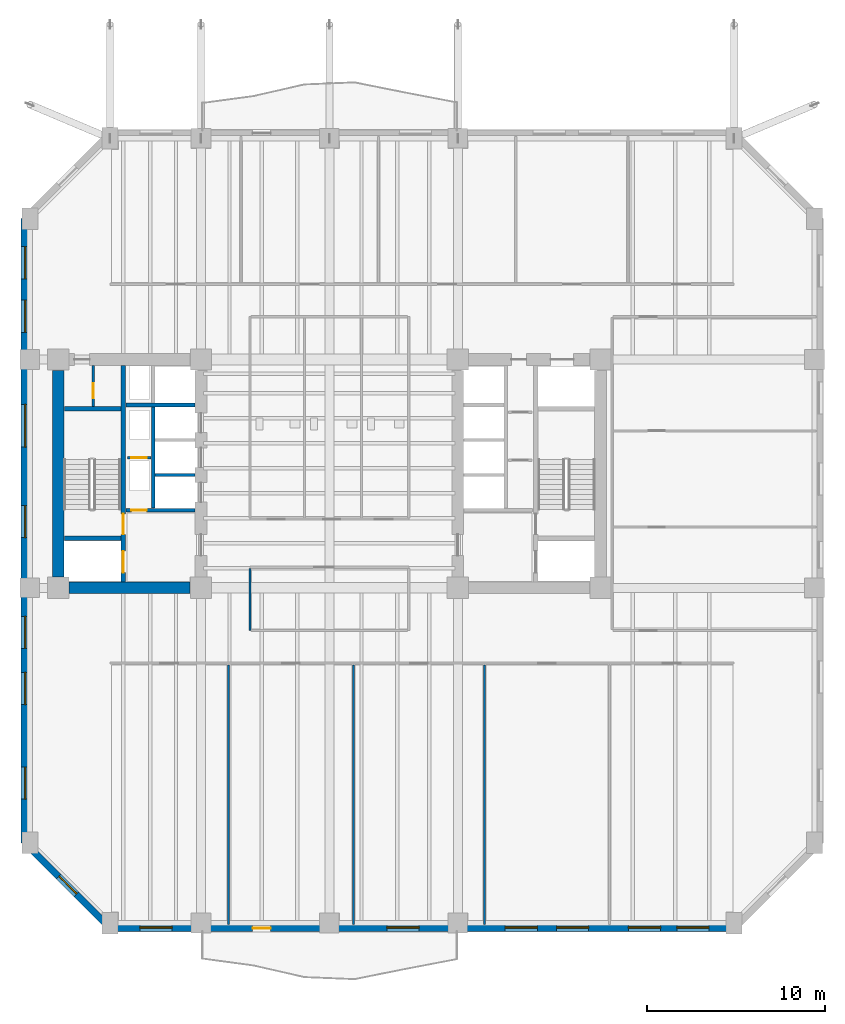
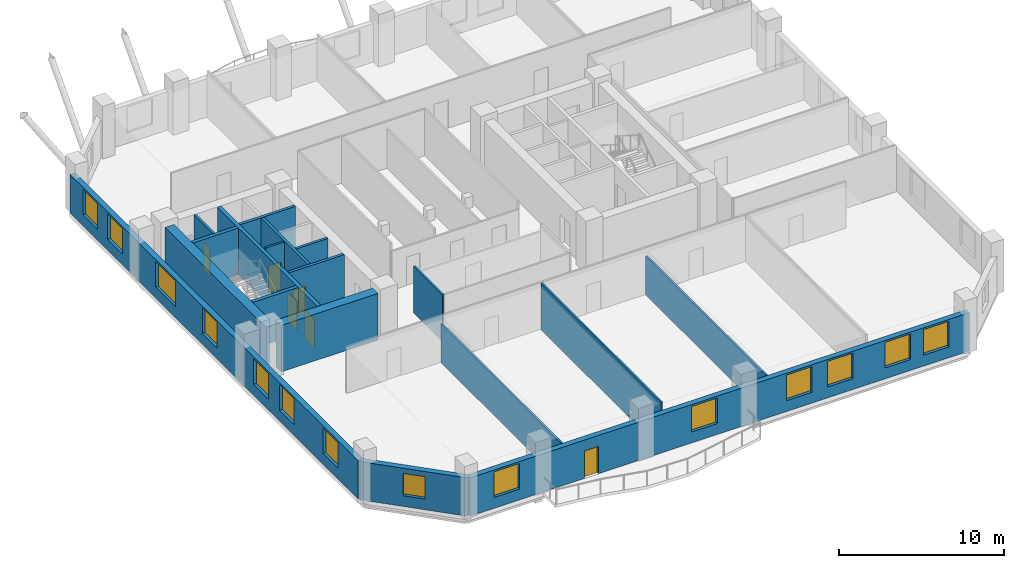
# One storey, part 5 of 12: 18 walls, 14 windows, 6 doors, 20 openings.
"""IFC4 building model written with IfcOpenShell, lengths in metres."""

from ifc_helpers import new_model, si_unit, direction, frame, frame_2d, origin, place, context, subcontext, project, spatial, rectangle, extrude, material, layer, layer_set, type_object, element, fill, save


model = new_model("IFC4")

# Units and contexts
model_context = context("Model", 3, precision=1e-05, world=origin(), true_north=direction((0.0, 1.0)))
body_context = subcontext(model_context, "Body", "Model", "MODEL_VIEW")
ifc_project = project(units=[si_unit("LENGTHUNIT", "METRE"), si_unit("AREAUNIT", "SQUARE_METRE"), si_unit("VOLUMEUNIT", "CUBIC_METRE"), si_unit("PLANEANGLEUNIT", "RADIAN"), si_unit("MASSUNIT", "GRAM", prefix="KILO")], contexts=[model_context])

# Site, building, storey
site_placement = place(None, origin())
site = spatial("IfcSite", under=ifc_project, at=site_placement, CompositionType="ELEMENT")
building_placement = place(site_placement, origin())
building = spatial("IfcBuilding", under=site, at=building_placement, Name="Kranthara Brick Stack", CompositionType="ELEMENT")
storey_placement = place(building_placement, frame((0.0, 0.0, 67.199951171875)))
storey = spatial("IfcBuildingStorey", under=building, at=storey_placement, Name="L16", CompositionType="ELEMENT", Elevation=67.199951171875)

# Wall, openings, door, windows
ifc_material_1 = material(Name="Kiln-fired clay brick masonry M15", Category="masonry")
ifc_layer_1 = layer(ifc_material_1, 0.3798828125)
ifc_layer_set_1 = layer_set([ifc_layer_1], Name="Kiln-fired clay brick masonry M15")
wall_type_1 = type_object("IfcWallType", Name="WL-BRK-PIER-380", PredefinedType="STANDARD", material=ifc_layer_set_1)
wall_1_placement = place(storey_placement, frame((50.699951171875, 1.7099609375, 0.0), z_axis=(0.0, 0.0, 1.0), x_axis=(-1.0, 0.0, 0.0)))
wall_1 = element("IfcWall", 1, at=wall_1_placement, inside=storey, type_object=wall_type_1, Name="L16 Exterior Brick Facade Wall SOUTH 1", PredefinedType="STANDARD", context=body_context, shape_type="SweptSolid", body=[
    extrude(rectangle(XDim=35.0, YDim=0.3798828125, at=frame_2d((17.5, 0.0))), origin(), (0.0, 0.0, 1.0), 2.8349609375),
])
opening_1_placement = place(wall_1_placement, frame((26.0, 0.0, 0.0)))
opening_1 = element("IfcOpeningElement", 2, at=opening_1_placement, cuts=wall_1, Name="Opening D03", PredefinedType="OPENING", context=body_context, shape_type="SweptSolid", body=[
    extrude(rectangle(XDim=1.0, YDim=2.02001953125, at=frame_2d((0.5, 1.010009765625))), frame((0.0, 0.199951171875, 0.0), z_axis=(0.0, -1.0, 0.0), x_axis=(1.0, 0.0, 0.0)), (0.0, 0.0, 1.0), 0.39990234375),
])
opening_2_placement = place(wall_1_placement, frame((1.4189453125, 0.0, 0.800048828125)))
opening_2 = element("IfcOpeningElement", 3, at=opening_2_placement, cuts=wall_1, Name="Opening WN01", PredefinedType="OPENING", context=body_context, shape_type="SweptSolid", body=[
    extrude(rectangle(XDim=1.800048828125, YDim=1.89990234375, at=frame_2d((0.89990234375, 0.949951171875))), frame((0.0, 0.199951171875, 0.0), z_axis=(0.0, -1.0, 0.0), x_axis=(1.0, 0.0, 0.0)), (0.0, 0.0, 1.0), 0.39990234375),
])
opening_3_placement = place(wall_1_placement, frame((4.131103515625, 0.0, 0.800048828125)))
opening_3 = element("IfcOpeningElement", 4, at=opening_3_placement, cuts=wall_1, Name="Opening WN01", PredefinedType="OPENING", context=body_context, shape_type="SweptSolid", body=[
    extrude(rectangle(XDim=1.800048828125, YDim=1.89990234375, at=frame_2d((0.89990234375, 0.949951171875))), frame((0.0, 0.199951171875, 0.0), z_axis=(0.0, -1.0, 0.0), x_axis=(1.0, 0.0, 0.0)), (0.0, 0.0, 1.0), 0.39990234375),
])
opening_4_placement = place(wall_1_placement, frame((8.159912109375, 0.0, 0.800048828125)))
opening_4 = element("IfcOpeningElement", 5, at=opening_4_placement, cuts=wall_1, Name="Opening WN01", PredefinedType="OPENING", context=body_context, shape_type="SweptSolid", body=[
    extrude(rectangle(XDim=1.800048828125, YDim=1.89990234375, at=frame_2d((0.89990234375, 0.949951171875))), frame((0.0, 0.199951171875, 0.0), z_axis=(0.0, -1.0, 0.0), x_axis=(1.0, 0.0, 0.0)), (0.0, 0.0, 1.0), 0.39990234375),
])
opening_5_placement = place(wall_1_placement, frame((11.0400390625, 0.0, 0.800048828125)))
opening_5 = element("IfcOpeningElement", 6, at=opening_5_placement, cuts=wall_1, Name="Opening WN01", PredefinedType="OPENING", context=body_context, shape_type="SweptSolid", body=[
    extrude(rectangle(XDim=1.800048828125, YDim=1.89990234375, at=frame_2d((0.89990234375, 0.949951171875))), frame((0.0, 0.199951171875, 0.0), z_axis=(0.0, -1.0, 0.0), x_axis=(1.0, 0.0, 0.0)), (0.0, 0.0, 1.0), 0.39990234375),
])
opening_6_placement = place(wall_1_placement, frame((17.675048828125, 0.0, 0.800048828125)))
opening_6 = element("IfcOpeningElement", 7, at=opening_6_placement, cuts=wall_1, Name="Opening WN01", PredefinedType="OPENING", context=body_context, shape_type="SweptSolid", body=[
    extrude(rectangle(XDim=1.800048828125, YDim=1.89990234375, at=frame_2d((0.89990234375, 0.949951171875))), frame((0.0, 0.199951171875, 0.0), z_axis=(0.0, -1.0, 0.0), x_axis=(1.0, 0.0, 0.0)), (0.0, 0.0, 1.0), 0.39990234375),
])
opening_7_placement = place(wall_1_placement, frame((31.52490234375, 0.0, 0.800048828125)))
opening_7 = element("IfcOpeningElement", 8, at=opening_7_placement, cuts=wall_1, Name="Opening WN01", PredefinedType="OPENING", context=body_context, shape_type="SweptSolid", body=[
    extrude(rectangle(XDim=1.800048828125, YDim=1.89990234375, at=frame_2d((0.89990234375, 0.949951171875))), frame((0.0, 0.199951171875, 0.0), z_axis=(0.0, -1.0, 0.0), x_axis=(1.0, 0.0, 0.0)), (0.0, 0.0, 1.0), 0.39990234375),
])
ifc_material_2 = material(Name="Bronze anodised aluminium and laminated glass", Category="aluminium")
door_type_1 = type_object("IfcDoorType", Name="DR-BALC-1000", OperationType="NOTDEFINED", PredefinedType="DOOR", material=ifc_material_2)
door_1_placement = place(opening_1_placement, origin())
door_1 = element("IfcDoor", 9, at=door_1_placement, inside=storey, type_object=door_type_1, Name="L16 South Balcony Terrace Door", OperationType="SINGLE_SWING_LEFT", OverallHeight=2.02001953125, OverallWidth=1.0, PredefinedType="DOOR", context=body_context, shape_type="SweptSolid", body=[
    extrude(rectangle(XDim=1.0, YDim=2.02001953125, at=frame_2d((0.5, 1.010009765625))), frame((0.0, 0.02490234375, 0.0), z_axis=(0.0, -1.0, 0.0), x_axis=(1.0, 0.0, 0.0)), (0.0, 0.0, 1.0), 0.050048828125),
])
fill(opening_1, door_1)
ifc_material_3 = material(Name="Double-glazed low-E solar control glass", Category="glass")
window_type_1 = type_object("IfcWindowType", Name="WN-OFF-1800x2000", PartitioningType="SINGLE_PANEL", PredefinedType="WINDOW", material=ifc_material_3)
window_1_placement = place(opening_2_placement, origin())
window_1 = element("IfcWindow", 10, at=window_1_placement, inside=storey, type_object=window_type_1, Name="L16 South Deep-Set Brick Window 01", OverallHeight=1.89990234375, OverallWidth=1.800048828125, PartitioningType="SINGLE_PANEL", PredefinedType="WINDOW", context=body_context, shape_type="SweptSolid", body=[
    extrude(rectangle(XDim=1.800048828125, YDim=1.89990234375, at=frame_2d((0.89990234375, 0.949951171875))), frame((0.0, -0.010009765625, 0.0), z_axis=(0.0, -1.0, 0.0), x_axis=(1.0, 0.0, 0.0)), (0.0, 0.0, 1.0), 0.06005859375),
])
fill(opening_2, window_1)
window_2_placement = place(opening_3_placement, origin())
window_2 = element("IfcWindow", 11, at=window_2_placement, inside=storey, type_object=window_type_1, Name="L16 South Deep-Set Brick Window 02", OverallHeight=1.89990234375, OverallWidth=1.800048828125, PartitioningType="SINGLE_PANEL", PredefinedType="WINDOW", context=body_context, shape_type="SweptSolid", body=[
    extrude(rectangle(XDim=1.800048828125, YDim=1.89990234375, at=frame_2d((0.89990234375, 0.949951171875))), frame((0.0, -0.010009765625, 0.0), z_axis=(0.0, -1.0, 0.0), x_axis=(1.0, 0.0, 0.0)), (0.0, 0.0, 1.0), 0.06005859375),
])
fill(opening_3, window_2)
window_3_placement = place(opening_4_placement, origin())
window_3 = element("IfcWindow", 12, at=window_3_placement, inside=storey, type_object=window_type_1, Name="L16 South Deep-Set Brick Window 03", OverallHeight=1.89990234375, OverallWidth=1.800048828125, PartitioningType="SINGLE_PANEL", PredefinedType="WINDOW", context=body_context, shape_type="SweptSolid", body=[
    extrude(rectangle(XDim=1.800048828125, YDim=1.89990234375, at=frame_2d((0.89990234375, 0.949951171875))), frame((0.0, -0.010009765625, 0.0), z_axis=(0.0, -1.0, 0.0), x_axis=(1.0, 0.0, 0.0)), (0.0, 0.0, 1.0), 0.06005859375),
])
fill(opening_4, window_3)
window_4_placement = place(opening_5_placement, origin())
window_4 = element("IfcWindow", 13, at=window_4_placement, inside=storey, type_object=window_type_1, Name="L16 South Deep-Set Brick Window 04", OverallHeight=1.89990234375, OverallWidth=1.800048828125, PartitioningType="SINGLE_PANEL", PredefinedType="WINDOW", context=body_context, shape_type="SweptSolid", body=[
    extrude(rectangle(XDim=1.800048828125, YDim=1.89990234375, at=frame_2d((0.89990234375, 0.949951171875))), frame((0.0, -0.010009765625, 0.0), z_axis=(0.0, -1.0, 0.0), x_axis=(1.0, 0.0, 0.0)), (0.0, 0.0, 1.0), 0.06005859375),
])
fill(opening_5, window_4)
window_5_placement = place(opening_6_placement, origin())
window_5 = element("IfcWindow", 14, at=window_5_placement, inside=storey, type_object=window_type_1, Name="L16 South Deep-Set Brick Window 05", OverallHeight=1.89990234375, OverallWidth=1.800048828125, PartitioningType="SINGLE_PANEL", PredefinedType="WINDOW", context=body_context, shape_type="SweptSolid", body=[
    extrude(rectangle(XDim=1.800048828125, YDim=1.89990234375, at=frame_2d((0.89990234375, 0.949951171875))), frame((0.0, -0.010009765625, 0.0), z_axis=(0.0, -1.0, 0.0), x_axis=(1.0, 0.0, 0.0)), (0.0, 0.0, 1.0), 0.06005859375),
])
fill(opening_6, window_5)
window_6_placement = place(opening_7_placement, origin())
window_6 = element("IfcWindow", 15, at=window_6_placement, inside=storey, type_object=window_type_1, Name="L16 South Deep-Set Brick Window 06", OverallHeight=1.89990234375, OverallWidth=1.800048828125, PartitioningType="SINGLE_PANEL", PredefinedType="WINDOW", context=body_context, shape_type="SweptSolid", body=[
    extrude(rectangle(XDim=1.800048828125, YDim=1.89990234375, at=frame_2d((0.89990234375, 0.949951171875))), frame((0.0, -0.010009765625, 0.0), z_axis=(0.0, -1.0, 0.0), x_axis=(1.0, 0.0, 0.0)), (0.0, 0.0, 1.0), 0.06005859375),
])
fill(opening_7, window_6)

# Wall, opening, window
wall_2_placement = place(storey_placement, frame((15.699951171875, 1.7099609375, 0.0), z_axis=(0.0, 0.0, 1.0), x_axis=(-0.707106781187, 0.707106781187, 0.0)))
wall_2 = element("IfcWall", 16, at=wall_2_placement, inside=storey, type_object=wall_type_1, Name="L16 Exterior Brick Facade Wall SW 1", PredefinedType="STANDARD", context=body_context, shape_type="SweptSolid", body=[
    extrude(rectangle(XDim=6.774169921875, YDim=0.3798828125, at=frame_2d((3.38720703125, 0.0))), origin(), (0.0, 0.0, 1.0), 2.8349609375),
])
opening_8_placement = place(wall_2_placement, frame((2.68701171875, 0.0, 0.800048828125)))
opening_8 = element("IfcOpeningElement", 17, at=opening_8_placement, cuts=wall_2, Name="Opening WN10", PredefinedType="OPENING", context=body_context, shape_type="SweptSolid", body=[
    extrude(rectangle(XDim=1.39990234375, YDim=1.64990234375, at=frame_2d((0.699951171875, 0.824951171875))), frame((0.0, 0.199951171875, 0.0), z_axis=(0.0, -1.0, 0.0), x_axis=(1.0, 0.0, 0.0)), (0.0, 0.0, 1.0), 0.39990234375),
])
ifc_material_4 = material(Name="Double-glazed low-E solar control glass", Category="glass")
window_type_2 = type_object("IfcWindowType", Name="WN-CHM-1400x1750", PartitioningType="SINGLE_PANEL", PredefinedType="WINDOW", material=ifc_material_4)
window_7_placement = place(opening_8_placement, origin())
window_7 = element("IfcWindow", 18, at=window_7_placement, inside=storey, type_object=window_type_2, Name="L16 SW Chamfer Corner Window", OverallHeight=1.64990234375, OverallWidth=1.39990234375, PartitioningType="SINGLE_PANEL", PredefinedType="WINDOW", context=body_context, shape_type="SweptSolid", body=[
    extrude(rectangle(XDim=1.39990234375, YDim=1.64990234375, at=frame_2d((0.699951171875, 0.824951171875))), frame((0.0, -0.010009765625, 0.0), z_axis=(0.0, -1.0, 0.0), x_axis=(1.0, 0.0, 0.0)), (0.0, 0.0, 1.0), 0.06005859375),
])
fill(opening_8, window_7)

# Wall, openings, windows
wall_3_placement = place(storey_placement, frame((10.909912109375, 6.5, 0.0), z_axis=(0.0, 0.0, 1.0), x_axis=(0.0, 1.0, 0.0)))
wall_3 = element("IfcWall", 19, at=wall_3_placement, inside=storey, type_object=wall_type_1, Name="L16 Exterior Brick Facade Wall WEST 1", PredefinedType="STANDARD", context=body_context, shape_type="SweptSolid", body=[
    extrude(rectangle(XDim=35.0, YDim=0.3798828125, at=frame_2d((17.5, 0.0))), origin(), (0.0, 0.0, 1.0), 2.8349609375),
])
opening_9_placement = place(wall_3_placement, frame((2.449951171875, 0.0, 0.800048828125)))
opening_9 = element("IfcOpeningElement", 20, at=opening_9_placement, cuts=wall_3, Name="Opening WN01", PredefinedType="OPENING", context=body_context, shape_type="SweptSolid", body=[
    extrude(rectangle(XDim=1.800048828125, YDim=1.89990234375, at=frame_2d((0.89990234375, 0.949951171875))), frame((0.0, 0.199951171875, 0.0), z_axis=(0.0, -1.0, 0.0), x_axis=(1.0, 0.0, 0.0)), (0.0, 0.0, 1.0), 0.39990234375),
])
opening_10_placement = place(wall_3_placement, frame((7.7529296875, 0.0, 0.800048828125)))
opening_10 = element("IfcOpeningElement", 21, at=opening_10_placement, cuts=wall_3, Name="Opening WN01", PredefinedType="OPENING", context=body_context, shape_type="SweptSolid", body=[
    extrude(rectangle(XDim=1.800048828125, YDim=1.89990234375, at=frame_2d((0.89990234375, 0.949951171875))), frame((0.0, 0.199951171875, 0.0), z_axis=(0.0, -1.0, 0.0), x_axis=(1.0, 0.0, 0.0)), (0.0, 0.0, 1.0), 0.39990234375),
])
opening_11_placement = place(wall_3_placement, frame((10.89697265625, 0.0, 0.800048828125)))
opening_11 = element("IfcOpeningElement", 22, at=opening_11_placement, cuts=wall_3, Name="Opening WN01", PredefinedType="OPENING", context=body_context, shape_type="SweptSolid", body=[
    extrude(rectangle(XDim=1.800048828125, YDim=1.89990234375, at=frame_2d((0.89990234375, 0.949951171875))), frame((0.0, 0.199951171875, 0.0), z_axis=(0.0, -1.0, 0.0), x_axis=(1.0, 0.0, 0.0)), (0.0, 0.0, 1.0), 0.39990234375),
])
opening_12_placement = place(wall_3_placement, frame((17.112060546875, 0.0, 0.800048828125)))
opening_12 = element("IfcOpeningElement", 23, at=opening_12_placement, cuts=wall_3, Name="Opening WN01", PredefinedType="OPENING", context=body_context, shape_type="SweptSolid", body=[
    extrude(rectangle(XDim=1.800048828125, YDim=1.89990234375, at=frame_2d((0.89990234375, 0.949951171875))), frame((0.0, 0.199951171875, 0.0), z_axis=(0.0, -1.0, 0.0), x_axis=(1.0, 0.0, 0.0)), (0.0, 0.0, 1.0), 0.39990234375),
])
opening_13_placement = place(wall_3_placement, frame((22.18798828125, 0.0, 0.800048828125)))
opening_13 = element("IfcOpeningElement", 24, at=opening_13_placement, cuts=wall_3, Name="Opening WN02", PredefinedType="OPENING", context=body_context, shape_type="SweptSolid", body=[
    extrude(rectangle(XDim=2.39990234375, YDim=1.89990234375, at=frame_2d((1.199951171875, 0.949951171875))), frame((0.0, 0.199951171875, 0.0), z_axis=(0.0, -1.0, 0.0), x_axis=(1.0, 0.0, 0.0)), (0.0, 0.0, 1.0), 0.39990234375),
])
opening_14_placement = place(wall_3_placement, frame((28.625, 0.0, 0.800048828125)))
opening_14 = element("IfcOpeningElement", 25, at=opening_14_placement, cuts=wall_3, Name="Opening WN01", PredefinedType="OPENING", context=body_context, shape_type="SweptSolid", body=[
    extrude(rectangle(XDim=1.800048828125, YDim=1.89990234375, at=frame_2d((0.89990234375, 0.949951171875))), frame((0.0, 0.199951171875, 0.0), z_axis=(0.0, -1.0, 0.0), x_axis=(1.0, 0.0, 0.0)), (0.0, 0.0, 1.0), 0.39990234375),
])
opening_15_placement = place(wall_3_placement, frame((31.625, 0.0, 0.800048828125)))
opening_15 = element("IfcOpeningElement", 26, at=opening_15_placement, cuts=wall_3, Name="Opening WN01", PredefinedType="OPENING", context=body_context, shape_type="SweptSolid", body=[
    extrude(rectangle(XDim=1.800048828125, YDim=1.89990234375, at=frame_2d((0.89990234375, 0.949951171875))), frame((0.0, 0.199951171875, 0.0), z_axis=(0.0, -1.0, 0.0), x_axis=(1.0, 0.0, 0.0)), (0.0, 0.0, 1.0), 0.39990234375),
])
window_8_placement = place(opening_9_placement, origin())
window_8 = element("IfcWindow", 27, at=window_8_placement, inside=storey, type_object=window_type_1, Name="L16 West Deep-Set Brick Window 01", OverallHeight=1.89990234375, OverallWidth=1.800048828125, PartitioningType="SINGLE_PANEL", PredefinedType="WINDOW", context=body_context, shape_type="SweptSolid", body=[
    extrude(rectangle(XDim=1.800048828125, YDim=1.89990234375, at=frame_2d((0.89990234375, 0.949951171875))), frame((0.0, -0.010009765625, 0.0), z_axis=(0.0, -1.0, 0.0), x_axis=(1.0, 0.0, 0.0)), (0.0, 0.0, 1.0), 0.06005859375),
])
fill(opening_9, window_8)
window_9_placement = place(opening_10_placement, origin())
window_9 = element("IfcWindow", 28, at=window_9_placement, inside=storey, type_object=window_type_1, Name="L16 West Deep-Set Brick Window 02", OverallHeight=1.89990234375, OverallWidth=1.800048828125, PartitioningType="SINGLE_PANEL", PredefinedType="WINDOW", context=body_context, shape_type="SweptSolid", body=[
    extrude(rectangle(XDim=1.800048828125, YDim=1.89990234375, at=frame_2d((0.89990234375, 0.949951171875))), frame((0.0, -0.010009765625, 0.0), z_axis=(0.0, -1.0, 0.0), x_axis=(1.0, 0.0, 0.0)), (0.0, 0.0, 1.0), 0.06005859375),
])
fill(opening_10, window_9)
window_10_placement = place(opening_11_placement, origin())
window_10 = element("IfcWindow", 29, at=window_10_placement, inside=storey, type_object=window_type_1, Name="L16 West Deep-Set Brick Window 03", OverallHeight=1.89990234375, OverallWidth=1.800048828125, PartitioningType="SINGLE_PANEL", PredefinedType="WINDOW", context=body_context, shape_type="SweptSolid", body=[
    extrude(rectangle(XDim=1.800048828125, YDim=1.89990234375, at=frame_2d((0.89990234375, 0.949951171875))), frame((0.0, -0.010009765625, 0.0), z_axis=(0.0, -1.0, 0.0), x_axis=(1.0, 0.0, 0.0)), (0.0, 0.0, 1.0), 0.06005859375),
])
fill(opening_11, window_10)
window_11_placement = place(opening_12_placement, origin())
window_11 = element("IfcWindow", 30, at=window_11_placement, inside=storey, type_object=window_type_1, Name="L16 West Deep-Set Brick Window 04", OverallHeight=1.89990234375, OverallWidth=1.800048828125, PartitioningType="SINGLE_PANEL", PredefinedType="WINDOW", context=body_context, shape_type="SweptSolid", body=[
    extrude(rectangle(XDim=1.800048828125, YDim=1.89990234375, at=frame_2d((0.89990234375, 0.949951171875))), frame((0.0, -0.010009765625, 0.0), z_axis=(0.0, -1.0, 0.0), x_axis=(1.0, 0.0, 0.0)), (0.0, 0.0, 1.0), 0.06005859375),
])
fill(opening_12, window_11)
window_12_placement = place(opening_14_placement, origin())
window_12 = element("IfcWindow", 31, at=window_12_placement, inside=storey, type_object=window_type_1, Name="L16 West Deep-Set Brick Window 06", OverallHeight=1.89990234375, OverallWidth=1.800048828125, PartitioningType="SINGLE_PANEL", PredefinedType="WINDOW", context=body_context, shape_type="SweptSolid", body=[
    extrude(rectangle(XDim=1.800048828125, YDim=1.89990234375, at=frame_2d((0.89990234375, 0.949951171875))), frame((0.0, -0.010009765625, 0.0), z_axis=(0.0, -1.0, 0.0), x_axis=(1.0, 0.0, 0.0)), (0.0, 0.0, 1.0), 0.06005859375),
])
fill(opening_14, window_12)
window_13_placement = place(opening_15_placement, origin())
window_13 = element("IfcWindow", 32, at=window_13_placement, inside=storey, type_object=window_type_1, Name="L16 West Deep-Set Brick Window 07", OverallHeight=1.89990234375, OverallWidth=1.800048828125, PartitioningType="SINGLE_PANEL", PredefinedType="WINDOW", context=body_context, shape_type="SweptSolid", body=[
    extrude(rectangle(XDim=1.800048828125, YDim=1.89990234375, at=frame_2d((0.89990234375, 0.949951171875))), frame((0.0, -0.010009765625, 0.0), z_axis=(0.0, -1.0, 0.0), x_axis=(1.0, 0.0, 0.0)), (0.0, 0.0, 1.0), 0.06005859375),
])
fill(opening_15, window_13)
ifc_material_5 = material(Name="Double-glazed low-E solar control glass", Category="glass")
window_type_3 = type_object("IfcWindowType", Name="WN-OFF-2400x2000", PartitioningType="DOUBLE_PANEL_VERTICAL", PredefinedType="WINDOW", material=ifc_material_5)
window_14_placement = place(opening_13_placement, origin())
window_14 = element("IfcWindow", 33, at=window_14_placement, inside=storey, type_object=window_type_3, Name="L16 West Deep-Set Brick Window 05", OverallHeight=1.89990234375, OverallWidth=2.39990234375, PartitioningType="SINGLE_PANEL", PredefinedType="WINDOW", context=body_context, shape_type="SweptSolid", body=[
    extrude(rectangle(XDim=2.39990234375, YDim=1.89990234375, at=frame_2d((1.199951171875, 0.949951171875))), frame((0.0, -0.010009765625, 0.0), z_axis=(0.0, -1.0, 0.0), x_axis=(1.0, 0.0, 0.0)), (0.0, 0.0, 1.0), 0.06005859375),
])
fill(opening_13, window_14)

# Wall, openings, doors
ifc_material_6 = material(Name="Concrete C50/60", Category="concrete")
ifc_layer_2 = layer(ifc_material_6, 0.25)
ifc_layer_set_2 = layer_set([ifc_layer_2], Name="Concrete C50/60")
wall_type_2 = type_object("IfcWallType", Name="WL-CORE-250", PredefinedType="SHEAR", material=ifc_layer_set_2)
wall_4_placement = place(storey_placement, frame((16.43505859375, 21.135009765625, 0.0), z_axis=(0.0, 0.0, 1.0), x_axis=(0.0, 1.0, 0.0)))
wall_4 = element("IfcWall", 34, at=wall_4_placement, inside=storey, type_object=wall_type_2, Name="L16 West Core Stair Bearing Spine Wall", PredefinedType="SHEAR", context=body_context, shape_type="SweptSolid", body=[
    extrude(rectangle(XDim=12.1298828125, YDim=0.25, at=frame_2d((6.06494140625, 0.0))), origin(), (0.0, 0.0, 1.0), 3.449951171875),
])
opening_16_placement = place(wall_4_placement, frame((0.514892578125, 0.0, 0.0)))
opening_16 = element("IfcOpeningElement", 35, at=opening_16_placement, cuts=wall_4, Name="Opening LD01", PredefinedType="OPENING", context=body_context, shape_type="SweptSolid", body=[
    extrude(rectangle(XDim=1.199951171875, YDim=2.14990234375, at=frame_2d((0.60009765625, 1.074951171875))), frame((0.0, 0.135009765625, 0.0), z_axis=(0.0, -1.0, 0.0), x_axis=(1.0, 0.0, 0.0)), (0.0, 0.0, 1.0), 0.27001953125),
])
opening_17_placement = place(wall_4_placement, frame((2.6650390625, 0.0, 0.0)))
opening_17 = element("IfcOpeningElement", 36, at=opening_17_placement, cuts=wall_4, Name="Opening D05", PredefinedType="OPENING", context=body_context, shape_type="SweptSolid", body=[
    extrude(rectangle(XDim=1.14990234375, YDim=2.14990234375, at=frame_2d((0.574951171875, 1.074951171875))), frame((0.0, 0.135009765625, 0.0), z_axis=(0.0, -1.0, 0.0), x_axis=(1.0, 0.0, 0.0)), (0.0, 0.0, 1.0), 0.27001953125),
])
ifc_material_7 = material(Name="Stainless steel sliding landing door", Category="steel")
door_type_2 = type_object("IfcDoorType", Name="DR-LD-FF1200", OperationType="DOUBLE_DOOR_SLIDING", PredefinedType="DOOR", material=ifc_material_7)
door_2_placement = place(opening_16_placement, origin())
door_2 = element("IfcDoor", 37, at=door_2_placement, inside=storey, type_object=door_type_2, Name="L16 Firefighting Lift FF-01 Landing Door", OperationType="DOUBLE_DOOR_SLIDING", OverallHeight=2.14990234375, OverallWidth=1.199951171875, PredefinedType="DOOR", context=body_context, shape_type="SweptSolid", body=[
    extrude(rectangle(XDim=1.199951171875, YDim=2.14990234375, at=frame_2d((0.60009765625, 1.074951171875))), frame((0.0, 0.02490234375, 0.0), z_axis=(0.0, -1.0, 0.0), x_axis=(1.0, 0.0, 0.0)), (0.0, 0.0, 1.0), 0.050048828125),
])
fill(opening_16, door_2)
ifc_material_8 = material(Name="Solid-core hardwood timber leaf in steel frame", Category="steel")
door_type_3 = type_object("IfcDoorType", Name="DR-ST-1150", OperationType="NOTDEFINED", PredefinedType="DOOR", material=ifc_material_8)
door_3_placement = place(opening_17_placement, origin())
door_3 = element("IfcDoor", 38, at=door_3_placement, inside=storey, type_object=door_type_3, Name="L16 Exit Stair ST01 Door", OperationType="SINGLE_SWING_RIGHT", OverallHeight=2.14990234375, OverallWidth=1.14990234375, PredefinedType="DOOR", context=body_context, shape_type="SweptSolid", body=[
    extrude(rectangle(XDim=1.14990234375, YDim=2.14990234375, at=frame_2d((0.574951171875, 1.074951171875))), frame((0.0, 0.02490234375, 0.0), z_axis=(0.0, -1.0, 0.0), x_axis=(1.0, 0.0, 0.0)), (0.0, 0.0, 1.0), 0.050048828125),
])
fill(opening_17, door_3)

# Walls
for number, where, z_axis, x_axis, name in (
    (39, (13.135009765625, 23.570068359375, 0.0), (0.0, 0.0, 1.0), (1.0, 0.0, 0.0), "L16 West Stairwell Bearing Wall WFF"),
    (40, (13.135009765625, 30.830078125, 0.0), (0.0, 0.0, 1.0), (1.0, 0.0, 0.0), "L16 West Stairwell Bearing Wall WST"),
):
    element("IfcWall", number, at=place(storey_placement, frame(where, z_axis=z_axis, x_axis=x_axis)), inside=storey, type_object=wall_type_2, Name=name, PredefinedType="SHEAR", context=body_context, shape_type="SweptSolid", body=[
        extrude(rectangle(XDim=3.175048828125, YDim=0.25, at=frame_2d((1.58740234375, 0.0))), origin(), (0.0, 0.0, 1.0), 3.449951171875),
    ])
ifc_material_9 = material(Name="Concrete C60/75", Category="concrete")
ifc_layer_3 = layer(ifc_material_9, 0.64990234375)
ifc_layer_set_3 = layer_set([ifc_layer_3], Name="Concrete C60/75")
wall_type_3 = type_object("IfcWallType", Name="WL-CORE-650", PredefinedType="SHEAR", material=ifc_layer_set_3)
wall_5_placement = place(storey_placement, frame((12.800048828125, 21.405029296875, 0.0), z_axis=(0.0, 0.0, 1.0), x_axis=(0.0, 1.0, 0.0)))
element("IfcWall", 41, at=wall_5_placement, inside=storey, type_object=wall_type_3, Name="L16 West Core Shear Wall West", PredefinedType="SHEAR", context=body_context, shape_type="SweptSolid", body=[
    extrude(rectangle(XDim=11.590087890625, YDim=0.64990234375, at=frame_2d((5.794921875, 0.0))), origin(), (0.0, 0.0, 1.0), 3.449951171875),
])
wall_6_placement = place(storey_placement, frame((13.405029296875, 20.800048828125, 0.0), z_axis=(0.0, 0.0, 1.0), x_axis=(1.0, 0.0, 0.0)))
element("IfcWall", 42, at=wall_6_placement, inside=storey, type_object=wall_type_3, Name="L16 West Core Shear Wall South", PredefinedType="SHEAR", context=body_context, shape_type="SweptSolid", body=[
    extrude(rectangle(XDim=6.7900390625, YDim=0.64990234375, at=frame_2d((3.39501953125, 0.0))), origin(), (0.0, 0.0, 1.0), 3.449951171875),
])
ifc_material_10 = material(Name="Acoustic gypsum plasterboard partition", Category="other")
ifc_layer_4 = layer(ifc_material_10, 0.1201171875)
ifc_layer_set_4 = layer_set([ifc_layer_4], Name="Acoustic gypsum plasterboard partition")
wall_type_4 = type_object("IfcWallType", Name="WL-PART-120", PredefinedType="PARTITIONING", material=ifc_layer_set_4)
wall_7_placement = place(storey_placement, frame((23.550048828125, 18.39990234375, 0.0), z_axis=(0.0, 0.0, 1.0), x_axis=(0.0, 1.0, 0.0)))
element("IfcWall", 43, at=wall_7_placement, inside=storey, type_object=wall_type_4, Name="L16 Interior Partition 012", PredefinedType="PARTITIONING", context=body_context, shape_type="SweptSolid", body=[
    extrude(rectangle(XDim=3.485107421875, YDim=0.1201171875, at=frame_2d((1.74267578125, 0.0))), origin(), (0.0, 0.0, 1.0), 3.449951171875),
])
wall_8_placement = place(storey_placement, frame((22.35009765625, 1.905029296875, 0.0), z_axis=(0.0, 0.0, 1.0), x_axis=(0.0, 1.0, 0.0)))
element("IfcWall", 44, at=wall_8_placement, inside=storey, type_object=wall_type_4, Name="L16 Interior Partition 016", PredefinedType="PARTITIONING", context=body_context, shape_type="SweptSolid", body=[
    extrude(rectangle(XDim=14.574951171875, YDim=0.1201171875, at=frame_2d((7.28759765625, 0.0))), origin(), (0.0, 0.0, 1.0), 2.885009765625),
])
wall_9_placement = place(storey_placement, frame((29.35009765625, 1.905029296875, 0.0), z_axis=(0.0, 0.0, 1.0), x_axis=(0.0, 1.0, 0.0)))
element("IfcWall", 45, at=wall_9_placement, inside=storey, type_object=wall_type_4, Name="L16 Interior Partition 017", PredefinedType="PARTITIONING", context=body_context, shape_type="SweptSolid", body=[
    extrude(rectangle(XDim=14.574951171875, YDim=0.1201171875, at=frame_2d((7.28759765625, 0.0))), origin(), (0.0, 0.0, 1.0), 3.449951171875),
])
wall_10_placement = place(storey_placement, frame((36.699951171875, 1.905029296875, 0.0), z_axis=(0.0, 0.0, 1.0), x_axis=(0.0, 1.0, 0.0)))
element("IfcWall", 46, at=wall_10_placement, inside=storey, type_object=wall_type_4, Name="L16 Interior Partition 018", PredefinedType="PARTITIONING", context=body_context, shape_type="SweptSolid", body=[
    extrude(rectangle(XDim=14.574951171875, YDim=0.1201171875, at=frame_2d((7.28759765625, 0.0))), origin(), (0.0, 0.0, 1.0), 2.885009765625),
])

# Wall, opening, door
ifc_material_11 = material(Name="Fire-rated gypsum board partition", Category="other")
ifc_layer_5 = layer(ifc_material_11, 0.14990234375)
ifc_layer_set_5 = layer_set([ifc_layer_5], Name="Fire-rated gypsum board partition")
wall_type_5 = type_object("IfcWallType", Name="WL-PART-150", PredefinedType="PARTITIONING", material=ifc_layer_set_5)
wall_11_placement = place(storey_placement, frame((14.75, 30.9599609375, 0.0), z_axis=(0.0, 0.0, 1.0), x_axis=(0.0, 1.0, 0.0)))
wall_11 = element("IfcWall", 47, at=wall_11_placement, inside=storey, type_object=wall_type_5, Name="L16 Interior Partition 001", PredefinedType="PARTITIONING", context=body_context, shape_type="SweptSolid", body=[
    extrude(rectangle(XDim=2.31005859375, YDim=0.14990234375, at=frame_2d((1.155029296875, 0.0))), origin(), (0.0, 0.0, 1.0), 3.449951171875),
])
opening_18_placement = place(wall_11_placement, frame((0.469970703125, 0.0, 0.0)))
opening_18 = element("IfcOpeningElement", 48, at=opening_18_placement, cuts=wall_11, Name="Opening D10", PredefinedType="OPENING", context=body_context, shape_type="SweptSolid", body=[
    extrude(rectangle(XDim=0.85009765625, YDim=2.02001953125, at=frame_2d((0.425048828125, 1.010009765625))), frame((0.0, 0.0849609375, 0.0), z_axis=(0.0, -1.0, 0.0), x_axis=(1.0, 0.0, 0.0)), (0.0, 0.0, 1.0), 0.169921875),
])
ifc_material_12 = material(Name="Solid-core hardwood timber leaf in steel frame", Category="steel")
door_type_4 = type_object("IfcDoorType", Name="DR-RSR-850", OperationType="NOTDEFINED", PredefinedType="DOOR", material=ifc_material_12)
door_4_placement = place(opening_18_placement, origin())
door_4 = element("IfcDoor", 49, at=door_4_placement, inside=storey, type_object=door_type_4, Name="L16 Service Interconnect 01", OperationType="SINGLE_SWING_LEFT", OverallHeight=2.02001953125, OverallWidth=0.85009765625, PredefinedType="DOOR", context=body_context, shape_type="SweptSolid", body=[
    extrude(rectangle(XDim=0.85009765625, YDim=2.02001953125, at=frame_2d((0.425048828125, 1.010009765625))), frame((0.0, 0.02490234375, 0.0), z_axis=(0.0, -1.0, 0.0), x_axis=(1.0, 0.0, 0.0)), (0.0, 0.0, 1.0), 0.050048828125),
])
fill(opening_18, door_4)

wall_12_placement = place(storey_placement, frame((16.679931640625, 28.10009765625, 0.0), z_axis=(0.0, 0.0, 1.0), x_axis=(1.0, 0.0, 0.0)))
wall_12 = element("IfcWall", 50, at=wall_12_placement, inside=storey, type_object=wall_type_5, Name="L16 Interior Partition 004", PredefinedType="PARTITIONING", context=body_context, shape_type="SweptSolid", body=[
    extrude(rectangle(XDim=1.320068359375, YDim=0.14990234375, at=frame_2d((0.66015625, 0.0))), origin(), (0.0, 0.0, 1.0), 3.449951171875),
])
opening_19_placement = place(wall_12_placement, frame((0.219970703125, 0.0, 0.0)))
opening_19 = element("IfcOpeningElement", 51, at=opening_19_placement, cuts=wall_12, Name="Opening D10", PredefinedType="OPENING", context=body_context, shape_type="SweptSolid", body=[
    extrude(rectangle(XDim=0.85009765625, YDim=2.02001953125, at=frame_2d((0.425048828125, 1.010009765625))), frame((0.0, 0.0849609375, 0.0), z_axis=(0.0, -1.0, 0.0), x_axis=(1.0, 0.0, 0.0)), (0.0, 0.0, 1.0), 0.169921875),
])
door_5_placement = place(opening_19_placement, origin())
door_5 = element("IfcDoor", 52, at=door_5_placement, inside=storey, type_object=door_type_4, Name="L16 Riser Split Door 04", OperationType="SINGLE_SWING_RIGHT", OverallHeight=2.02001953125, OverallWidth=0.85009765625, PredefinedType="DOOR", context=body_context, shape_type="SweptSolid", body=[
    extrude(rectangle(XDim=0.85009765625, YDim=2.02001953125, at=frame_2d((0.425048828125, 1.010009765625))), frame((0.0, 0.02490234375, 0.0), z_axis=(0.0, -1.0, 0.0), x_axis=(1.0, 0.0, 0.0)), (0.0, 0.0, 1.0), 0.050048828125),
])
fill(opening_19, door_5)

# Walls
ifc_material_13 = material(Name="Gypsum plasterboard on acoustic twin stud", Category="other")
ifc_layer_6 = layer(ifc_material_13, 0.179931640625)
ifc_layer_set_6 = layer_set([ifc_layer_6], Name="Gypsum plasterboard on acoustic twin stud")
wall_type_6 = type_object("IfcWallType", Name="WL-PART-180", PredefinedType="PARTITIONING", material=ifc_layer_set_6)
wall_13_placement = place(storey_placement, frame((18.1201171875, 25.27001953125, 0.0), z_axis=(0.0, 0.0, 1.0), x_axis=(0.0, 1.0, 0.0)))
element("IfcWall", 53, at=wall_13_placement, inside=storey, type_object=wall_type_6, Name="L16 West Hoistway Wall WBK", PredefinedType="PARTITIONING", context=body_context, shape_type="SweptSolid", body=[
    extrude(rectangle(XDim=5.659912109375, YDim=0.179931640625, at=frame_2d((2.830078125, 0.0))), origin(), (0.0, 0.0, 1.0), 3.449951171875),
])
wall_14_placement = place(storey_placement, frame((18.219970703125, 27.1201171875, 0.0), z_axis=(0.0, 0.0, 1.0), x_axis=(1.0, 0.0, 0.0)))
element("IfcWall", 54, at=wall_14_placement, inside=storey, type_object=wall_type_6, Name="L16 West Hoistway Wall WH1", PredefinedType="PARTITIONING", context=body_context, shape_type="SweptSolid", body=[
    extrude(rectangle(XDim=2.2451171875, YDim=0.179931640625, at=frame_2d((1.12255859375, 0.0))), origin(), (0.0, 0.0, 1.0), 3.449951171875),
])

# Wall, opening, door
ifc_material_14 = material(Name="Concrete C40/50", Category="concrete")
ifc_layer_7 = layer(ifc_material_14, 0.199951171875)
ifc_layer_set_7 = layer_set([ifc_layer_7], Name="Concrete C40/50")
wall_type_7 = type_object("IfcWallType", Name="WL-PART-200", PredefinedType="SOLIDWALL", material=ifc_layer_set_7)
wall_15_placement = place(storey_placement, frame((16.60009765625, 25.14990234375, 0.0), z_axis=(0.0, 0.0, 1.0), x_axis=(1.0, 0.0, 0.0)))
wall_15 = element("IfcWall", 55, at=wall_15_placement, inside=storey, type_object=wall_type_7, Name="L16 West Core Cross Wall WFL", PredefinedType="SOLIDWALL", context=body_context, shape_type="SweptSolid", body=[
    extrude(rectangle(XDim=3.864990234375, YDim=0.199951171875, at=frame_2d((1.9326171875, 0.0))), origin(), (0.0, 0.0, 1.0), 3.449951171875),
])
opening_20_placement = place(wall_15_placement, frame((0.300048828125, 0.0, 0.0)))
opening_20 = element("IfcOpeningElement", 56, at=opening_20_placement, cuts=wall_15, Name="Opening D10", PredefinedType="OPENING", context=body_context, shape_type="SweptSolid", body=[
    extrude(rectangle(XDim=0.85009765625, YDim=2.02001953125, at=frame_2d((0.425048828125, 1.010009765625))), frame((0.0, 0.10986328125, 0.0), z_axis=(0.0, -1.0, 0.0), x_axis=(1.0, 0.0, 0.0)), (0.0, 0.0, 1.0), 0.219970703125),
])
door_6_placement = place(opening_20_placement, origin())
door_6 = element("IfcDoor", 57, at=door_6_placement, inside=storey, type_object=door_type_4, Name="L16 Mechanical Riser Access Door", OperationType="SINGLE_SWING_LEFT", OverallHeight=2.02001953125, OverallWidth=0.85009765625, PredefinedType="DOOR", context=body_context, shape_type="SweptSolid", body=[
    extrude(rectangle(XDim=0.85009765625, YDim=2.02001953125, at=frame_2d((0.425048828125, 1.010009765625))), frame((0.0, 0.02490234375, 0.0), z_axis=(0.0, -1.0, 0.0), x_axis=(1.0, 0.0, 0.0)), (0.0, 0.0, 1.0), 0.050048828125),
])
fill(opening_20, door_6)

# Wall
wall_16_placement = place(storey_placement, frame((16.60009765625, 31.050048828125, 0.0), z_axis=(0.0, 0.0, 1.0), x_axis=(1.0, 0.0, 0.0)))
element("IfcWall", 58, at=wall_16_placement, inside=storey, type_object=wall_type_7, Name="L16 West Core Cross Wall WH4", PredefinedType="SOLIDWALL", context=body_context, shape_type="SweptSolid", body=[
    extrude(rectangle(XDim=3.849853515625, YDim=0.199951171875, at=frame_2d((1.9248046875, 0.0))), origin(), (0.0, 0.0, 1.0), 3.449951171875),
])

save(model, "model.ifc")
